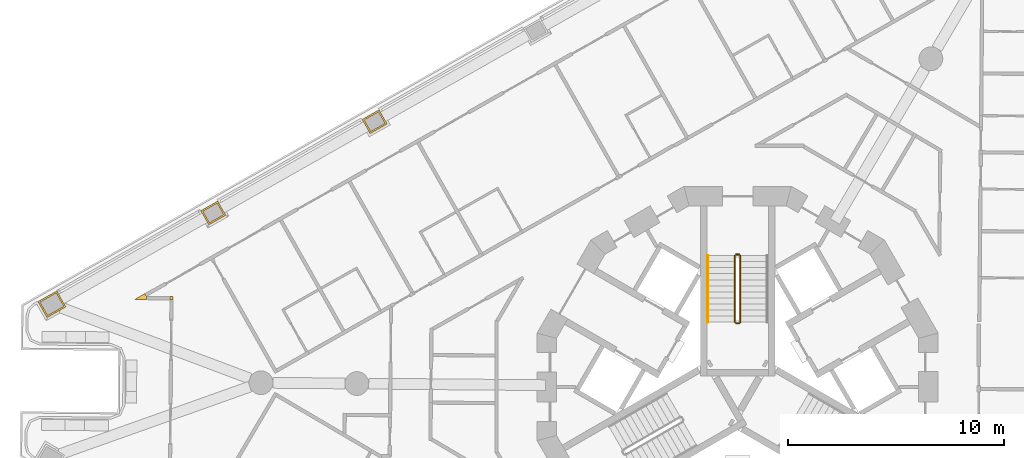
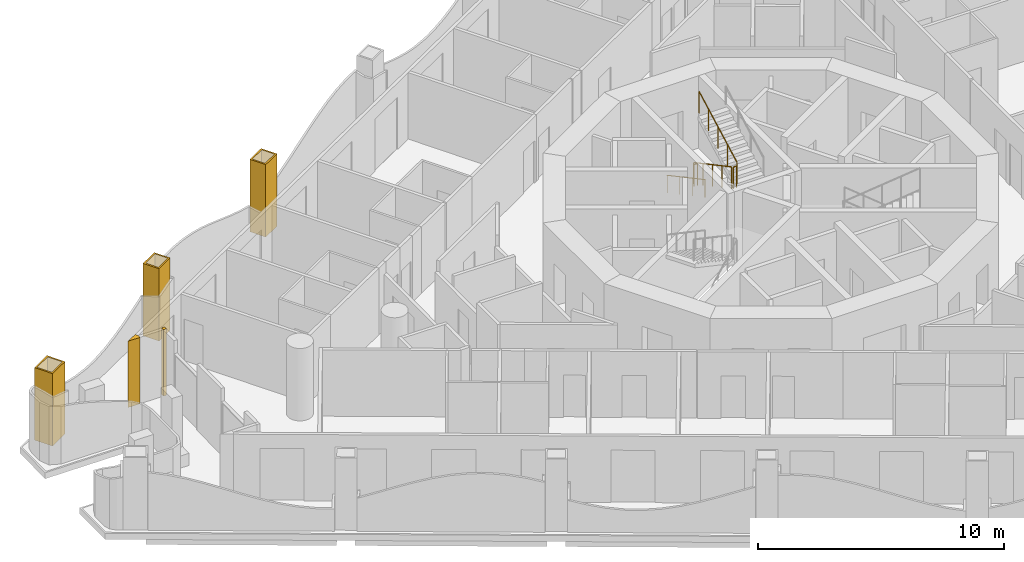
# One storey, part 16 of 18: 5 coverings, 5 railings.
"""IFC4 building model written with IfcOpenShell, lengths in metres."""

from ifc_helpers import new_model, si_unit, direction, frame, origin, origin_2d, place, context, subcontext, project, spatial, polyline, circle, outline, extrude, material, layer, layer_set, type_object, element, save


model = new_model("IFC4")

# Units and contexts
model_context = context("Model", 3, precision=1e-05, world=origin(), true_north=direction((0.0, 1.0)))
body_context = subcontext(model_context, "Body", "Model", "MODEL_VIEW")
ifc_project = project(units=[si_unit("LENGTHUNIT", "METRE"), si_unit("AREAUNIT", "SQUARE_METRE"), si_unit("VOLUMEUNIT", "CUBIC_METRE"), si_unit("PLANEANGLEUNIT", "RADIAN"), si_unit("MASSUNIT", "GRAM", prefix="KILO")], contexts=[model_context])

# Site, building, storey
site_placement = place(None, origin())
site = spatial("IfcSite", under=ifc_project, at=site_placement, CompositionType="ELEMENT")
building_placement = place(site_placement, origin())
building = spatial("IfcBuilding", under=site, at=building_placement, Name="Trine Commons Tower", CompositionType="ELEMENT")
storey_placement = place(building_placement, frame((0.0, 0.0, 175.5)))
storey = spatial("IfcBuildingStorey", under=building, at=storey_placement, Name="L45", CompositionType="ELEMENT", Elevation=175.5)

# Coverings
ifc_material_1 = material(Name="Aluminium-framed insulated wall panel", Category="aluminium")
ifc_layer_1 = layer(ifc_material_1, 0.14990234375)
ifc_layer_set_1 = layer_set([ifc_layer_1], Name="Aluminium-framed insulated wall panel")
covering_type_1 = type_object("IfcCoveringType", Name="Glazing corner post, aluminium", PredefinedType="CLADDING", material=ifc_layer_set_1)
covering_1_placement = place(storey_placement, origin())
element("IfcCovering", 1, at=covering_1_placement, inside=storey, type_object=covering_type_1, Name="Glazing corner post 5-03", PredefinedType="CLADDING", context=body_context, shape_type="SweptSolid", body=[
    extrude(outline(polyline([(53.89892578125, 66.517822265625), (53.900390625, 66.66796875), (53.750244140625, 66.669189453125), (53.7490234375, 66.519287109375), (53.89892578125, 66.517822265625)])), origin(), (0.0, 0.0, 1.0), 3.300048828125),
])
covering_2_placement = place(storey_placement, origin())
element("IfcCovering", 2, at=covering_2_placement, inside=storey, type_object=covering_type_1, Name="Glazing corner post 5-04", PredefinedType="CLADDING", context=body_context, shape_type="SweptSolid", body=[
    extrude(outline(polyline([(52.663330078125, 66.52880859375), (52.66455078125, 66.6787109375), (52.5908203125, 66.809326171875), (52.103515625, 66.53369140625), (52.663330078125, 66.52880859375)])), origin(), (0.0, 0.0, 1.0), 3.300048828125),
])
ifc_material_2 = material(Name="Limestone, honed", Category="masonry")
ifc_layer_2 = layer(ifc_material_2, 0.074951171875)
ifc_layer_set_2 = layer_set([ifc_layer_2], Name="Limestone, honed")
covering_type_2 = type_object("IfcCoveringType", Name="Limestone column cladding 75", PredefinedType="CLADDING", material=ifc_layer_set_2)
covering_3_placement = place(storey_placement, origin())
element("IfcCovering", 3, at=covering_3_placement, inside=storey, type_object=covering_type_2, Name="Limestone pier cladding 5-08", PredefinedType="CLADDING", context=body_context, shape_type="SweptSolid", body=[
    extrude(outline(polyline([(48.94091796875, 66.197509765625), (48.522216796875, 66.9375), (47.65185546875, 66.445068359375), (48.0703125, 65.705078125), (48.94091796875, 66.197509765625)]), holes=[polyline([(48.83837890625, 66.22607421875), (48.493896484375, 66.835205078125), (47.754150390625, 66.41650390625), (48.0986328125, 65.807373046875), (48.83837890625, 66.22607421875)])]), origin(), (0.0, 0.0, 1.0), 3.60009765625),
])
covering_4_placement = place(storey_placement, origin())
element("IfcCovering", 4, at=covering_4_placement, inside=storey, type_object=covering_type_2, Name="Limestone pier cladding 5-09", PredefinedType="CLADDING", context=body_context, shape_type="SweptSolid", body=[
    extrude(outline(polyline([(56.33203125, 70.43701171875), (55.962890625, 71.089599609375), (55.179443359375, 70.646484375), (55.548828125, 69.99365234375), (56.33203125, 70.43701171875)]), holes=[polyline([(56.22998046875, 70.46533203125), (55.9345703125, 70.987548828125), (55.28173828125, 70.6181640625), (55.5771484375, 70.095947265625), (56.22998046875, 70.46533203125)])]), origin(), (0.0, 0.0, 1.0), 3.60009765625),
])
covering_5_placement = place(storey_placement, origin())
element("IfcCovering", 5, at=covering_5_placement, inside=storey, type_object=covering_type_2, Name="Limestone pier cladding 5-10", PredefinedType="CLADDING", context=body_context, shape_type="SweptSolid", body=[
    extrude(outline(polyline([(63.79150390625, 74.6572265625), (63.422119140625, 75.31005859375), (62.638916015625, 74.86669921875), (63.00830078125, 74.214111328125), (63.79150390625, 74.6572265625)]), holes=[polyline([(63.689208984375, 74.685546875), (63.393798828125, 75.207763671875), (62.7412109375, 74.83837890625), (63.03662109375, 74.316162109375), (63.689208984375, 74.685546875)])]), origin(), (0.0, 0.0, 1.0), 3.60009765625),
])

# Railings
ifc_material_3 = material(Name="Stainless steel balustrade", Category="steel")
railing_type_1 = type_object("IfcRailingType", Name="Stair guard, steel balustrade 1100", PredefinedType="GUARDRAIL", material=ifc_material_3)
railing_1_placement = place(storey_placement, frame((79.875, 68.570556640625, 0.14990234375)))
element("IfcRailing", 6, at=railing_1_placement, inside=storey, type_object=railing_type_1, Name="L45 ST1B stair guard 1", PredefinedType="GUARDRAIL", context=body_context, shape_type="SweptSolid", body=[
    extrude(circle(Radius=0.02392578125, at=origin_2d()), frame((0.0, 0.0, 1.076171875), z_axis=(0.0, -0.881467505477, 0.472244678941), x_axis=(1.0, 0.0, 0.0)), (0.0, 0.0, 1.0), 3.494140625),
    extrude(circle(Radius=0.02099609375, at=origin_2d()), origin(), (0.0, 0.0, 1.0), 1.052001953125),
    extrude(circle(Radius=0.02099609375, at=origin_2d()), frame((0.0, -0.77001953125, 0.41259765625)), (0.0, 0.0, 1.0), 1.052001953125),
    extrude(circle(Radius=0.02099609375, at=origin_2d()), frame((0.0, -1.5400390625, 0.8251953125)), (0.0, 0.0, 1.0), 1.052001953125),
    extrude(circle(Radius=0.02099609375, at=origin_2d()), frame((0.0, -2.31005859375, 1.237548828125)), (0.0, 0.0, 1.0), 1.052001953125),
    extrude(circle(Radius=0.02099609375, at=origin_2d()), frame((0.0, -3.080078125, 1.650146484375)), (0.0, 0.0, 1.0), 1.052001953125),
])
railing_2_placement = place(storey_placement, frame((79.925048828125, 65.440673828125, 1.800048828125)))
element("IfcRailing", 7, at=railing_2_placement, inside=storey, type_object=railing_type_1, Name="L45 ST1B stair guard 2", PredefinedType="GUARDRAIL", context=body_context, shape_type="SweptSolid", body=[
    extrude(circle(Radius=0.02392578125, at=origin_2d()), frame((0.0, 0.0, 1.076171875), z_axis=(1.0, 0.0, 0.0), x_axis=(0.0, 1.0, 0.0)), (0.0, 0.0, 1.0), 0.14990234375),
    extrude(circle(Radius=0.02099609375, at=origin_2d()), origin(), (0.0, 0.0, 1.0), 1.052001953125),
    extrude(circle(Radius=0.02099609375, at=origin_2d()), frame((0.14990234375, 0.0, 0.0)), (0.0, 0.0, 1.0), 1.052001953125),
])
railing_3_placement = place(storey_placement, frame((80.125, 65.490478515625, 1.949951171875)))
element("IfcRailing", 8, at=railing_3_placement, inside=storey, type_object=railing_type_1, Name="L45 ST1B stair guard 3", PredefinedType="GUARDRAIL", context=body_context, shape_type="SweptSolid", body=[
    extrude(circle(Radius=0.02392578125, at=origin_2d()), frame((0.0, 0.0, 1.076171875), z_axis=(0.0, 0.881467505477, 0.472244678941), x_axis=(-1.0, 0.0, 0.0)), (0.0, 0.0, 1.0), 3.494140625),
    extrude(circle(Radius=0.02099609375, at=origin_2d()), origin(), (0.0, 0.0, 1.0), 1.052001953125),
    extrude(circle(Radius=0.02099609375, at=origin_2d()), frame((0.0, 0.77001953125, 0.41259765625)), (0.0, 0.0, 1.0), 1.052001953125),
    extrude(circle(Radius=0.02099609375, at=origin_2d()), frame((0.0, 1.5400390625, 0.8251953125)), (0.0, 0.0, 1.0), 1.052001953125),
    extrude(circle(Radius=0.02099609375, at=origin_2d()), frame((0.0, 2.31005859375, 1.237548828125)), (0.0, 0.0, 1.0), 1.052001953125),
    extrude(circle(Radius=0.02099609375, at=origin_2d()), frame((0.0, 3.080078125, 1.650146484375)), (0.0, 0.0, 1.0), 1.052001953125),
])
railing_4_placement = place(storey_placement, frame((79.925048828125, 68.62060546875, 0.0)))
element("IfcRailing", 9, at=railing_4_placement, inside=storey, type_object=railing_type_1, Name="L45 ST1B stair guard 4", PredefinedType="GUARDRAIL", context=body_context, shape_type="SweptSolid", body=[
    extrude(circle(Radius=0.02392578125, at=origin_2d()), frame((0.0, 0.0, 1.076171875), z_axis=(1.0, 0.0, 0.0), x_axis=(0.0, 1.0, 0.0)), (0.0, 0.0, 1.0), 0.14990234375),
    extrude(circle(Radius=0.02099609375, at=origin_2d()), origin(), (0.0, 0.0, 1.0), 1.052001953125),
    extrude(circle(Radius=0.02099609375, at=origin_2d()), frame((0.14990234375, 0.0, 0.0)), (0.0, 0.0, 1.0), 1.052001953125),
])
ifc_material_4 = material(Name="Stainless steel handrail", Category="steel")
railing_type_2 = type_object("IfcRailingType", Name="Stair handrail, steel 900", PredefinedType="HANDRAIL", material=ifc_material_4)
railing_5_placement = place(storey_placement, frame((78.625, 68.570556640625, 0.14990234375)))
element("IfcRailing", 10, at=railing_5_placement, inside=storey, type_object=railing_type_2, Name="L45 ST1B stair handrail 1", PredefinedType="HANDRAIL", context=body_context, shape_type="SweptSolid", body=[
    extrude(circle(Radius=0.02099609375, at=origin_2d()), frame((0.0, 0.0, 0.87890625), z_axis=(0.0, -0.881467505477, 0.472244678941), x_axis=(1.0, 0.0, 0.0)), (0.0, 0.0, 1.0), 3.494140625),
    extrude(circle(Radius=0.01513671875, at=origin_2d()), origin(), (0.0, 0.0, 1.0), 0.85791015625),
    extrude(circle(Radius=0.01513671875, at=origin_2d()), frame((0.0, -1.026611328125, 0.550048828125)), (0.0, 0.0, 1.0), 0.85791015625),
    extrude(circle(Radius=0.01513671875, at=origin_2d()), frame((0.0, -2.053466796875, 1.10009765625)), (0.0, 0.0, 1.0), 0.85791015625),
    extrude(circle(Radius=0.01513671875, at=origin_2d()), frame((0.0, -3.080078125, 1.650146484375)), (0.0, 0.0, 1.0), 0.85791015625),
])

save(model, "model.ifc")
